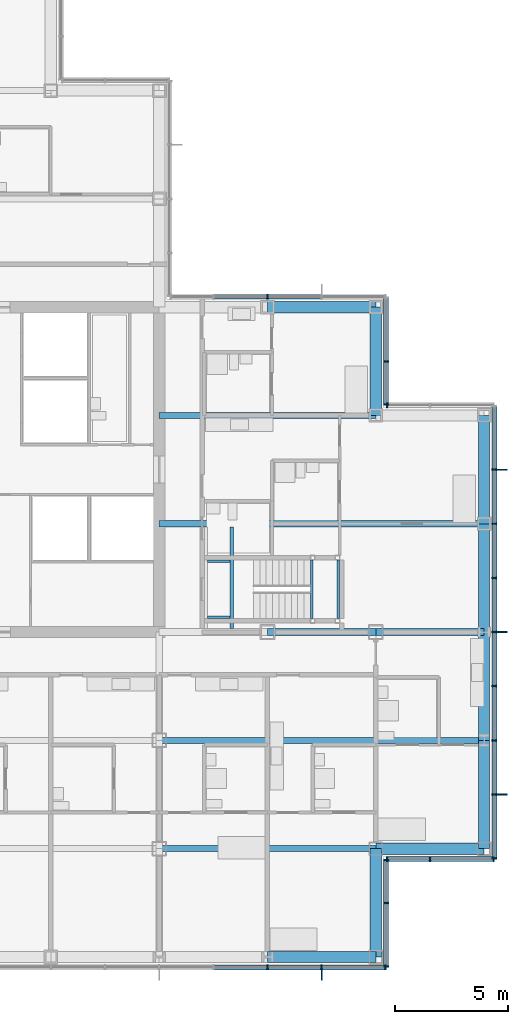
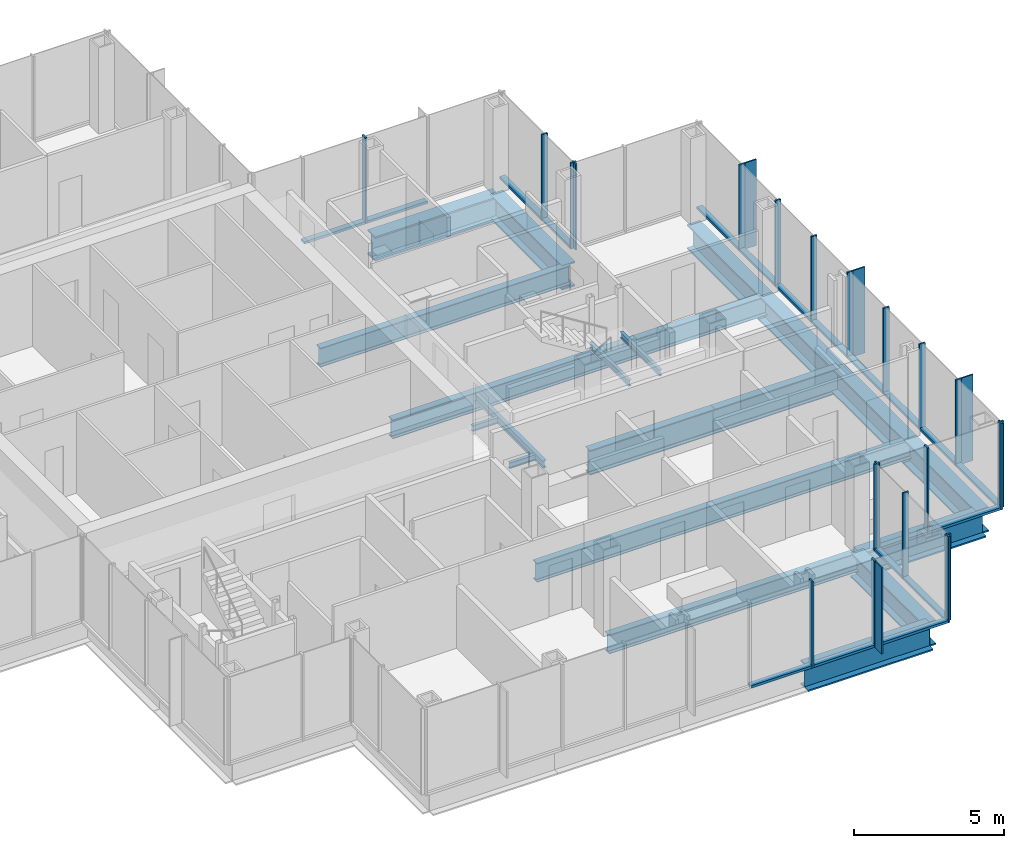
# One storey, part 8 of 20: 44 members, 20 beams, 7 elements without a shape of their own.
"""IFC4 building model written with IfcOpenShell, lengths in metres."""

from ifc_helpers import new_model, si_unit, direction, frame, origin, origin_2d, place, context, subcontext, project, spatial, rectangle, i_section, extrude, material, material_profile, profile_set, type_object, element, aggregate, save


model = new_model("IFC4")

# Units and contexts
model_context = context("Model", 3, precision=1e-05, world=origin(), true_north=direction((0.0, 1.0)))
body_context = subcontext(model_context, "Body", "Model", "MODEL_VIEW")
ifc_project = project(units=[si_unit("LENGTHUNIT", "METRE"), si_unit("AREAUNIT", "SQUARE_METRE"), si_unit("VOLUMEUNIT", "CUBIC_METRE"), si_unit("PLANEANGLEUNIT", "RADIAN"), si_unit("MASSUNIT", "GRAM", prefix="KILO")], contexts=[model_context])

# Site, building, storey
site_placement = place(None, origin())
site = spatial("IfcSite", under=ifc_project, at=site_placement, CompositionType="ELEMENT")
building_placement = place(site_placement, origin())
building = spatial("IfcBuilding", under=site, at=building_placement, Name="Kvirike Care Tower", CompositionType="ELEMENT")
storey_placement = place(building_placement, frame((0.0, 0.0, 112.0)))
storey = spatial("IfcBuildingStorey", under=building, at=storey_placement, Name="L30", CompositionType="ELEMENT", Elevation=112.0)

# Curtain wall, members
ifc_material_1 = material(Name="Anodised aluminium stick system", Category="aluminium")
curtain_wall_type = type_object("IfcCurtainWallType", Name="CW-B STICK CURTAIN WALL", PredefinedType="NOTDEFINED", material=ifc_material_1)
curtain_wall_1_placement = place(storey_placement, origin())
curtain_wall_1 = element("IfcCurtainWall", 1, at=curtain_wall_1_placement, inside=storey, type_object=curtain_wall_type, Name="Curtain wall L30 face 1", PredefinedType="NOTDEFINED")
ifc_material_2 = material(Name="Bronze anodised aluminium fin", Category="aluminium")
ifc_material_profile_1 = material_profile(ifc_material_2, rectangle(XDim=0.050048828125, YDim=0.449951171875, at=origin_2d()), Name="BRONZE FIN 450")
ifc_profile_set_1 = profile_set([ifc_material_profile_1], Name="Bronze anodised aluminium fin")
member_type_1 = type_object("IfcMemberType", Name="BRONZE FIN 450", PredefinedType="USERDEFINED", material=ifc_profile_set_1)
member_1_placement = place(storey_placement, frame((43.9951171875, 21.60009765625, 0.0), z_axis=(0.0, 0.0, 1.0), x_axis=(0.0, 1.0, 0.0)))
member_1 = element("IfcMember", 2, at=member_1_placement, type_object=member_type_1, Name="Bronze fin L30 face 1.2", ObjectType="FIN", PredefinedType="USERDEFINED", context=body_context, shape_type="SweptSolid", body=[
    extrude(rectangle(XDim=0.050048828125, YDim=0.449951171875, at=origin_2d()), origin(), (0.0, 0.0, 1.0), 3.5),
])
member_2_placement = place(storey_placement, frame((43.9951171875, 28.800048828125, 0.0), z_axis=(0.0, 0.0, 1.0), x_axis=(0.0, 1.0, 0.0)))
member_2 = element("IfcMember", 3, at=member_2_placement, type_object=member_type_1, Name="Bronze fin L30 face 1.5", ObjectType="FIN", PredefinedType="USERDEFINED", context=body_context, shape_type="SweptSolid", body=[
    extrude(rectangle(XDim=0.050048828125, YDim=0.449951171875, at=origin_2d()), origin(), (0.0, 0.0, 1.0), 3.5),
])
member_3_placement = place(storey_placement, frame((43.9951171875, 36.0, 0.0), z_axis=(0.0, 0.0, 1.0), x_axis=(0.0, 1.0, 0.0)))
member_3 = element("IfcMember", 4, at=member_3_placement, type_object=member_type_1, Name="Bronze fin L30 face 1.8", ObjectType="FIN", PredefinedType="USERDEFINED", context=body_context, shape_type="SweptSolid", body=[
    extrude(rectangle(XDim=0.050048828125, YDim=0.449951171875, at=origin_2d()), origin(), (0.0, 0.0, 1.0), 3.5),
])

# Curtain wall, member
curtain_wall_2_placement = place(storey_placement, origin())
curtain_wall_2 = element("IfcCurtainWall", 5, at=curtain_wall_2_placement, inside=storey, type_object=curtain_wall_type, Name="Curtain wall L30 face 18", PredefinedType="NOTDEFINED")
member_4_placement = place(storey_placement, frame((36.0, 13.60498046875, 0.0), z_axis=(0.0, 0.0, 1.0), x_axis=(1.0, 0.0, 0.0)))
member_4 = element("IfcMember", 6, at=member_4_placement, type_object=member_type_1, Name="Bronze fin L30 face 18.8", ObjectType="FIN", PredefinedType="USERDEFINED", context=body_context, shape_type="SweptSolid", body=[
    extrude(rectangle(XDim=0.050048828125, YDim=0.449951171875, at=origin_2d()), origin(), (0.0, 0.0, 1.0), 3.5),
])

# Member
ifc_material_3 = material(Name="Bronze anodised aluminium mullion", Category="aluminium")
ifc_material_profile_2 = material_profile(ifc_material_3, rectangle(XDim=0.06494140625, YDim=0.219970703125, at=origin_2d()), Name="CW-B MULLION 65x220")
ifc_profile_set_2 = profile_set([ifc_material_profile_2], Name="Bronze anodised aluminium mullion")
member_type_2 = type_object("IfcMemberType", Name="CW-B MULLION 65x220", PredefinedType="MULLION", material=ifc_profile_set_2)
member_5_placement = place(storey_placement, frame((43.659912109375, 18.7724609375, 0.0), z_axis=(0.0, 0.0, 1.0), x_axis=(0.0, 1.0, 0.0)))
member_5 = element("IfcMember", 7, at=member_5_placement, type_object=member_type_2, Name="CW-B mullion L30 face 1.1", PredefinedType="MULLION", context=body_context, shape_type="SweptSolid", body=[
    extrude(rectangle(XDim=0.06494140625, YDim=0.219970703125, at=origin_2d()), origin(), (0.0, 0.0, 1.0), 3.5),
])

member_6_placement = place(storey_placement, frame((43.659912109375, 21.60009765625, 0.0), z_axis=(0.0, 0.0, 1.0), x_axis=(0.0, 1.0, 0.0)))
member_6 = element("IfcMember", 8, at=member_6_placement, type_object=member_type_2, Name="CW-B mullion L30 face 1.2", PredefinedType="MULLION", context=body_context, shape_type="SweptSolid", body=[
    extrude(rectangle(XDim=0.06494140625, YDim=0.219970703125, at=origin_2d()), origin(), (0.0, 0.0, 1.0), 3.5),
])

member_7_placement = place(storey_placement, frame((43.659912109375, 24.0, 0.0), z_axis=(0.0, 0.0, 1.0), x_axis=(0.0, 1.0, 0.0)))
member_7 = element("IfcMember", 9, at=member_7_placement, type_object=member_type_2, Name="CW-B mullion L30 face 1.3", PredefinedType="MULLION", context=body_context, shape_type="SweptSolid", body=[
    extrude(rectangle(XDim=0.06494140625, YDim=0.219970703125, at=origin_2d()), origin(), (0.0, 0.0, 1.0), 3.5),
])

member_8_placement = place(storey_placement, frame((43.659912109375, 26.39990234375, 0.0), z_axis=(0.0, 0.0, 1.0), x_axis=(0.0, 1.0, 0.0)))
member_8 = element("IfcMember", 10, at=member_8_placement, type_object=member_type_2, Name="CW-B mullion L30 face 1.4", PredefinedType="MULLION", context=body_context, shape_type="SweptSolid", body=[
    extrude(rectangle(XDim=0.06494140625, YDim=0.219970703125, at=origin_2d()), origin(), (0.0, 0.0, 1.0), 3.5),
])

member_9_placement = place(storey_placement, frame((43.659912109375, 28.800048828125, 0.0), z_axis=(0.0, 0.0, 1.0), x_axis=(0.0, 1.0, 0.0)))
member_9 = element("IfcMember", 11, at=member_9_placement, type_object=member_type_2, Name="CW-B mullion L30 face 1.5", PredefinedType="MULLION", context=body_context, shape_type="SweptSolid", body=[
    extrude(rectangle(XDim=0.06494140625, YDim=0.219970703125, at=origin_2d()), origin(), (0.0, 0.0, 1.0), 3.5),
])

member_10_placement = place(storey_placement, frame((43.659912109375, 31.199951171875, 0.0), z_axis=(0.0, 0.0, 1.0), x_axis=(0.0, 1.0, 0.0)))
member_10 = element("IfcMember", 12, at=member_10_placement, type_object=member_type_2, Name="CW-B mullion L30 face 1.6", PredefinedType="MULLION", context=body_context, shape_type="SweptSolid", body=[
    extrude(rectangle(XDim=0.06494140625, YDim=0.219970703125, at=origin_2d()), origin(), (0.0, 0.0, 1.0), 3.5),
])

member_11_placement = place(storey_placement, frame((43.659912109375, 33.60009765625, 0.0), z_axis=(0.0, 0.0, 1.0), x_axis=(0.0, 1.0, 0.0)))
member_11 = element("IfcMember", 13, at=member_11_placement, type_object=member_type_2, Name="CW-B mullion L30 face 1.7", PredefinedType="MULLION", context=body_context, shape_type="SweptSolid", body=[
    extrude(rectangle(XDim=0.06494140625, YDim=0.219970703125, at=origin_2d()), origin(), (0.0, 0.0, 1.0), 3.5),
])

member_12_placement = place(storey_placement, frame((43.659912109375, 36.0, 0.0), z_axis=(0.0, 0.0, 1.0), x_axis=(0.0, 1.0, 0.0)))
member_12 = element("IfcMember", 14, at=member_12_placement, type_object=member_type_2, Name="CW-B mullion L30 face 1.8", PredefinedType="MULLION", context=body_context, shape_type="SweptSolid", body=[
    extrude(rectangle(XDim=0.06494140625, YDim=0.219970703125, at=origin_2d()), origin(), (0.0, 0.0, 1.0), 3.5),
])

# Curtain wall, member
curtain_wall_3_placement = place(storey_placement, origin())
curtain_wall_3 = element("IfcCurtainWall", 15, at=curtain_wall_3_placement, inside=storey, type_object=curtain_wall_type, Name="Curtain wall L30 face 2", PredefinedType="NOTDEFINED")
member_13_placement = place(storey_placement, frame((38.892578125, 38.860107421875, 0.0), z_axis=(0.0, 0.0, 1.0), x_axis=(-1.0, 0.0, 0.0)))
member_13 = element("IfcMember", 16, at=member_13_placement, type_object=member_type_2, Name="CW-B mullion L30 face 2.3", PredefinedType="MULLION", context=body_context, shape_type="SweptSolid", body=[
    extrude(rectangle(XDim=0.06494140625, YDim=0.219970703125, at=origin_2d()), origin(), (0.0, 0.0, 1.0), 3.5),
])
aggregate(curtain_wall_3, [member_13])

# Curtain wall, members
curtain_wall_4_placement = place(storey_placement, origin())
curtain_wall_4 = element("IfcCurtainWall", 17, at=curtain_wall_4_placement, inside=storey, type_object=curtain_wall_type, Name="Curtain wall L30 face 3", PredefinedType="NOTDEFINED")
member_14_placement = place(storey_placement, frame((38.860107421875, 38.892578125, 0.0), z_axis=(0.0, 0.0, 1.0), x_axis=(0.0, 1.0, 0.0)))
member_14 = element("IfcMember", 18, at=member_14_placement, type_object=member_type_2, Name="CW-B mullion L30 face 3.1", PredefinedType="MULLION", context=body_context, shape_type="SweptSolid", body=[
    extrude(rectangle(XDim=0.06494140625, YDim=0.219970703125, at=origin_2d()), origin(), (0.0, 0.0, 1.0), 3.5),
])
member_15_placement = place(storey_placement, frame((38.860107421875, 40.800048828125, 0.0), z_axis=(0.0, 0.0, 1.0), x_axis=(0.0, 1.0, 0.0)))
member_15 = element("IfcMember", 19, at=member_15_placement, type_object=member_type_2, Name="CW-B mullion L30 face 3.2", PredefinedType="MULLION", context=body_context, shape_type="SweptSolid", body=[
    extrude(rectangle(XDim=0.06494140625, YDim=0.219970703125, at=origin_2d()), origin(), (0.0, 0.0, 1.0), 3.5),
])

# Curtain wall, member
curtain_wall_5_placement = place(storey_placement, origin())
curtain_wall_5 = element("IfcCurtainWall", 20, at=curtain_wall_5_placement, inside=storey, type_object=curtain_wall_type, Name="Curtain wall L30 face 4", PredefinedType="NOTDEFINED")
member_16_placement = place(storey_placement, frame((33.60009765625, 43.659912109375, 0.0), z_axis=(0.0, 0.0, 1.0), x_axis=(-1.0, 0.0, 0.0)))
member_16 = element("IfcMember", 21, at=member_16_placement, type_object=member_type_2, Name="CW-B mullion L30 face 4.3", PredefinedType="MULLION", context=body_context, shape_type="SweptSolid", body=[
    extrude(rectangle(XDim=0.06494140625, YDim=0.219970703125, at=origin_2d()), origin(), (0.0, 0.0, 1.0), 3.5),
])

# Member
member_17_placement = place(storey_placement, frame((33.60009765625, 13.93994140625, 0.0), z_axis=(0.0, 0.0, 1.0), x_axis=(1.0, 0.0, 0.0)))
member_17 = element("IfcMember", 22, at=member_17_placement, type_object=member_type_2, Name="CW-B mullion L30 face 18.7", PredefinedType="MULLION", context=body_context, shape_type="SweptSolid", body=[
    extrude(rectangle(XDim=0.06494140625, YDim=0.219970703125, at=origin_2d()), origin(), (0.0, 0.0, 1.0), 3.5),
])

member_18_placement = place(storey_placement, frame((36.0, 13.93994140625, 0.0), z_axis=(0.0, 0.0, 1.0), x_axis=(1.0, 0.0, 0.0)))
member_18 = element("IfcMember", 23, at=member_18_placement, type_object=member_type_2, Name="CW-B mullion L30 face 18.8", PredefinedType="MULLION", context=body_context, shape_type="SweptSolid", body=[
    extrude(rectangle(XDim=0.06494140625, YDim=0.219970703125, at=origin_2d()), origin(), (0.0, 0.0, 1.0), 3.5),
])

member_19_placement = place(storey_placement, frame((38.827392578125, 13.93994140625, 0.0), z_axis=(0.0, 0.0, 1.0), x_axis=(1.0, 0.0, 0.0)))
member_19 = element("IfcMember", 24, at=member_19_placement, type_object=member_type_2, Name="CW-B mullion L30 face 18.9", PredefinedType="MULLION", context=body_context, shape_type="SweptSolid", body=[
    extrude(rectangle(XDim=0.06494140625, YDim=0.219970703125, at=origin_2d()), origin(), (0.0, 0.0, 1.0), 3.5),
])

# Curtain wall, members
curtain_wall_6_placement = place(storey_placement, origin())
curtain_wall_6 = element("IfcCurtainWall", 25, at=curtain_wall_6_placement, inside=storey, type_object=curtain_wall_type, Name="Curtain wall L30 face 19", PredefinedType="NOTDEFINED")
member_20_placement = place(storey_placement, frame((38.860107421875, 13.972412109375, 0.0), z_axis=(0.0, 0.0, 1.0), x_axis=(0.0, 1.0, 0.0)))
member_20 = element("IfcMember", 26, at=member_20_placement, type_object=member_type_2, Name="CW-B mullion L30 face 19.1", PredefinedType="MULLION", context=body_context, shape_type="SweptSolid", body=[
    extrude(rectangle(XDim=0.06494140625, YDim=0.219970703125, at=origin_2d()), origin(), (0.0, 0.0, 1.0), 3.5),
])
member_21_placement = place(storey_placement, frame((38.860107421875, 16.800048828125, 0.0), z_axis=(0.0, 0.0, 1.0), x_axis=(0.0, 1.0, 0.0)))
member_21 = element("IfcMember", 27, at=member_21_placement, type_object=member_type_2, Name="CW-B mullion L30 face 19.2", PredefinedType="MULLION", context=body_context, shape_type="SweptSolid", body=[
    extrude(rectangle(XDim=0.06494140625, YDim=0.219970703125, at=origin_2d()), origin(), (0.0, 0.0, 1.0), 3.5),
])
member_22_placement = place(storey_placement, frame((38.860107421875, 18.70751953125, 0.0), z_axis=(0.0, 0.0, 1.0), x_axis=(0.0, 1.0, 0.0)))
member_22 = element("IfcMember", 28, at=member_22_placement, type_object=member_type_2, Name="CW-B mullion L30 face 19.3", PredefinedType="MULLION", context=body_context, shape_type="SweptSolid", body=[
    extrude(rectangle(XDim=0.06494140625, YDim=0.219970703125, at=origin_2d()), origin(), (0.0, 0.0, 1.0), 3.5),
])

curtain_wall_7_placement = place(storey_placement, origin())
curtain_wall_7 = element("IfcCurtainWall", 29, at=curtain_wall_7_placement, inside=storey, type_object=curtain_wall_type, Name="Curtain wall L30 face 20", PredefinedType="NOTDEFINED")
member_23_placement = place(storey_placement, frame((38.892578125, 18.739990234375, 0.0), z_axis=(0.0, 0.0, 1.0), x_axis=(1.0, 0.0, 0.0)))
member_23 = element("IfcMember", 30, at=member_23_placement, type_object=member_type_2, Name="CW-B mullion L30 face 20.1", PredefinedType="MULLION", context=body_context, shape_type="SweptSolid", body=[
    extrude(rectangle(XDim=0.06494140625, YDim=0.219970703125, at=origin_2d()), origin(), (0.0, 0.0, 1.0), 3.5),
])
member_24_placement = place(storey_placement, frame((40.800048828125, 18.739990234375, 0.0), z_axis=(0.0, 0.0, 1.0), x_axis=(1.0, 0.0, 0.0)))
member_24 = element("IfcMember", 31, at=member_24_placement, type_object=member_type_2, Name="CW-B mullion L30 face 20.2", PredefinedType="MULLION", context=body_context, shape_type="SweptSolid", body=[
    extrude(rectangle(XDim=0.06494140625, YDim=0.219970703125, at=origin_2d()), origin(), (0.0, 0.0, 1.0), 3.5),
])
member_25_placement = place(storey_placement, frame((43.62744140625, 18.739990234375, 0.0), z_axis=(0.0, 0.0, 1.0), x_axis=(1.0, 0.0, 0.0)))
member_25 = element("IfcMember", 32, at=member_25_placement, type_object=member_type_2, Name="CW-B mullion L30 face 20.3", PredefinedType="MULLION", context=body_context, shape_type="SweptSolid", body=[
    extrude(rectangle(XDim=0.06494140625, YDim=0.219970703125, at=origin_2d()), origin(), (0.0, 0.0, 1.0), 3.5),
])

# Member
ifc_material_4 = material(Name="Bronze anodised aluminium transom", Category="aluminium")
ifc_material_profile_3 = material_profile(ifc_material_4, rectangle(XDim=0.219970703125, YDim=0.10009765625, at=origin_2d()), Name="CW-B TRANSOM 220x100")
ifc_profile_set_3 = profile_set([ifc_material_profile_3], Name="Bronze anodised aluminium transom")
member_type_3 = type_object("IfcMemberType", Name="CW-B TRANSOM 220x100", PredefinedType="USERDEFINED", material=ifc_profile_set_3)
member_26_placement = place(storey_placement, frame((43.659912109375, 18.804931640625, 0.050048828125), z_axis=(0.0, 1.0, 0.0), x_axis=(-1.0, 0.0, 0.0)))
member_26 = element("IfcMember", 33, at=member_26_placement, type_object=member_type_3, Name="CW-B sill transom L30 face 1.1", ObjectType="TRANSOM", PredefinedType="USERDEFINED", context=body_context, shape_type="SweptSolid", body=[
    extrude(rectangle(XDim=0.219970703125, YDim=0.10009765625, at=origin_2d()), origin(), (0.0, 0.0, 1.0), 2.762451171875),
])

member_27_placement = place(storey_placement, frame((43.659912109375, 21.632568359375, 0.050048828125), z_axis=(0.0, 1.0, 0.0), x_axis=(-1.0, 0.0, 0.0)))
member_27 = element("IfcMember", 34, at=member_27_placement, type_object=member_type_3, Name="CW-B sill transom L30 face 1.2", ObjectType="TRANSOM", PredefinedType="USERDEFINED", context=body_context, shape_type="SweptSolid", body=[
    extrude(rectangle(XDim=0.219970703125, YDim=0.10009765625, at=origin_2d()), origin(), (0.0, 0.0, 1.0), 2.3349609375),
])

member_28_placement = place(storey_placement, frame((43.659912109375, 24.032470703125, 0.050048828125), z_axis=(0.0, 1.0, 0.0), x_axis=(-1.0, 0.0, 0.0)))
member_28 = element("IfcMember", 35, at=member_28_placement, type_object=member_type_3, Name="CW-B sill transom L30 face 1.3", ObjectType="TRANSOM", PredefinedType="USERDEFINED", context=body_context, shape_type="SweptSolid", body=[
    extrude(rectangle(XDim=0.219970703125, YDim=0.10009765625, at=origin_2d()), origin(), (0.0, 0.0, 1.0), 2.3349609375),
])

member_29_placement = place(storey_placement, frame((43.659912109375, 26.4326171875, 0.050048828125), z_axis=(0.0, 1.0, 0.0), x_axis=(-1.0, 0.0, 0.0)))
member_29 = element("IfcMember", 36, at=member_29_placement, type_object=member_type_3, Name="CW-B sill transom L30 face 1.4", ObjectType="TRANSOM", PredefinedType="USERDEFINED", context=body_context, shape_type="SweptSolid", body=[
    extrude(rectangle(XDim=0.219970703125, YDim=0.10009765625, at=origin_2d()), origin(), (0.0, 0.0, 1.0), 2.3349609375),
])

member_30_placement = place(storey_placement, frame((43.659912109375, 28.83251953125, 0.050048828125), z_axis=(0.0, 1.0, 0.0), x_axis=(-1.0, 0.0, 0.0)))
member_30 = element("IfcMember", 37, at=member_30_placement, type_object=member_type_3, Name="CW-B sill transom L30 face 1.5", ObjectType="TRANSOM", PredefinedType="USERDEFINED", context=body_context, shape_type="SweptSolid", body=[
    extrude(rectangle(XDim=0.219970703125, YDim=0.10009765625, at=origin_2d()), origin(), (0.0, 0.0, 1.0), 2.3349609375),
])

member_31_placement = place(storey_placement, frame((43.659912109375, 31.232421875, 0.050048828125), z_axis=(0.0, 1.0, 0.0), x_axis=(-1.0, 0.0, 0.0)))
member_31 = element("IfcMember", 38, at=member_31_placement, type_object=member_type_3, Name="CW-B sill transom L30 face 1.6", ObjectType="TRANSOM", PredefinedType="USERDEFINED", context=body_context, shape_type="SweptSolid", body=[
    extrude(rectangle(XDim=0.219970703125, YDim=0.10009765625, at=origin_2d()), origin(), (0.0, 0.0, 1.0), 2.3349609375),
])

member_32_placement = place(storey_placement, frame((43.659912109375, 33.632568359375, 0.050048828125), z_axis=(0.0, 1.0, 0.0), x_axis=(-1.0, 0.0, 0.0)))
member_32 = element("IfcMember", 39, at=member_32_placement, type_object=member_type_3, Name="CW-B sill transom L30 face 1.7", ObjectType="TRANSOM", PredefinedType="USERDEFINED", context=body_context, shape_type="SweptSolid", body=[
    extrude(rectangle(XDim=0.219970703125, YDim=0.10009765625, at=origin_2d()), origin(), (0.0, 0.0, 1.0), 2.3349609375),
])

member_33_placement = place(storey_placement, frame((43.659912109375, 36.032470703125, 0.050048828125), z_axis=(0.0, 1.0, 0.0), x_axis=(-1.0, 0.0, 0.0)))
member_33 = element("IfcMember", 40, at=member_33_placement, type_object=member_type_3, Name="CW-B sill transom L30 face 1.8", ObjectType="TRANSOM", PredefinedType="USERDEFINED", context=body_context, shape_type="SweptSolid", body=[
    extrude(rectangle(XDim=0.219970703125, YDim=0.10009765625, at=origin_2d()), origin(), (0.0, 0.0, 1.0), 2.762451171875),
])

aggregate(curtain_wall_1, [member_5, member_6, member_1, member_7, member_8, member_9, member_2, member_10, member_11, member_12, member_3, member_26, member_27, member_28, member_29, member_30, member_31, member_32, member_33])

member_34_placement = place(storey_placement, frame((38.860107421875, 38.925048828125, 0.050048828125), z_axis=(0.0, 1.0, 0.0), x_axis=(-1.0, 0.0, 0.0)))
member_34 = element("IfcMember", 41, at=member_34_placement, type_object=member_type_3, Name="CW-B sill transom L30 face 3.1", ObjectType="TRANSOM", PredefinedType="USERDEFINED", context=body_context, shape_type="SweptSolid", body=[
    extrude(rectangle(XDim=0.219970703125, YDim=0.10009765625, at=origin_2d()), origin(), (0.0, 0.0, 1.0), 1.842529296875),
])

member_35_placement = place(storey_placement, frame((38.860107421875, 40.83251953125, 0.050048828125), z_axis=(0.0, 1.0, 0.0), x_axis=(-1.0, 0.0, 0.0)))
member_35 = element("IfcMember", 42, at=member_35_placement, type_object=member_type_3, Name="CW-B sill transom L30 face 3.2", ObjectType="TRANSOM", PredefinedType="USERDEFINED", context=body_context, shape_type="SweptSolid", body=[
    extrude(rectangle(XDim=0.219970703125, YDim=0.10009765625, at=origin_2d()), origin(), (0.0, 0.0, 1.0), 2.762451171875),
])

aggregate(curtain_wall_4, [member_14, member_15, member_34, member_35])

member_36_placement = place(storey_placement, frame((35.967529296875, 43.659912109375, 0.050048828125), z_axis=(-1.0, 0.0, 0.0), x_axis=(0.0, -1.0, 0.0)))
member_36 = element("IfcMember", 43, at=member_36_placement, type_object=member_type_3, Name="CW-B sill transom L30 face 4.2", ObjectType="TRANSOM", PredefinedType="USERDEFINED", context=body_context, shape_type="SweptSolid", body=[
    extrude(rectangle(XDim=0.219970703125, YDim=0.10009765625, at=origin_2d()), origin(), (0.0, 0.0, 1.0), 2.3349609375),
])

member_37_placement = place(storey_placement, frame((33.5673828125, 43.659912109375, 0.050048828125), z_axis=(-1.0, 0.0, 0.0), x_axis=(0.0, -1.0, 0.0)))
member_37 = element("IfcMember", 44, at=member_37_placement, type_object=member_type_3, Name="CW-B sill transom L30 face 4.3", ObjectType="TRANSOM", PredefinedType="USERDEFINED", context=body_context, shape_type="SweptSolid", body=[
    extrude(rectangle(XDim=0.219970703125, YDim=0.10009765625, at=origin_2d()), origin(), (0.0, 0.0, 1.0), 2.3349609375),
])

aggregate(curtain_wall_5, [member_16, member_36, member_37])

member_38_placement = place(storey_placement, frame((31.232421875, 13.93994140625, 0.050048828125), z_axis=(1.0, 0.0, 0.0), x_axis=(0.0, 1.0, 0.0)))
member_38 = element("IfcMember", 45, at=member_38_placement, type_object=member_type_3, Name="CW-B sill transom L30 face 18.6", ObjectType="TRANSOM", PredefinedType="USERDEFINED", context=body_context, shape_type="SweptSolid", body=[
    extrude(rectangle(XDim=0.219970703125, YDim=0.10009765625, at=origin_2d()), origin(), (0.0, 0.0, 1.0), 2.3349609375),
])

member_39_placement = place(storey_placement, frame((33.632568359375, 13.93994140625, 0.050048828125), z_axis=(1.0, 0.0, 0.0), x_axis=(0.0, 1.0, 0.0)))
member_39 = element("IfcMember", 46, at=member_39_placement, type_object=member_type_3, Name="CW-B sill transom L30 face 18.7", ObjectType="TRANSOM", PredefinedType="USERDEFINED", context=body_context, shape_type="SweptSolid", body=[
    extrude(rectangle(XDim=0.219970703125, YDim=0.10009765625, at=origin_2d()), origin(), (0.0, 0.0, 1.0), 2.3349609375),
])

member_40_placement = place(storey_placement, frame((36.032470703125, 13.93994140625, 0.050048828125), z_axis=(1.0, 0.0, 0.0), x_axis=(0.0, 1.0, 0.0)))
member_40 = element("IfcMember", 47, at=member_40_placement, type_object=member_type_3, Name="CW-B sill transom L30 face 18.8", ObjectType="TRANSOM", PredefinedType="USERDEFINED", context=body_context, shape_type="SweptSolid", body=[
    extrude(rectangle(XDim=0.219970703125, YDim=0.10009765625, at=origin_2d()), origin(), (0.0, 0.0, 1.0), 2.762451171875),
])

aggregate(curtain_wall_2, [member_17, member_18, member_4, member_19, member_38, member_39, member_40])

member_41_placement = place(storey_placement, frame((38.860107421875, 14.0048828125, 0.050048828125), z_axis=(0.0, 1.0, 0.0), x_axis=(-1.0, 0.0, 0.0)))
member_41 = element("IfcMember", 48, at=member_41_placement, type_object=member_type_3, Name="CW-B sill transom L30 face 19.1", ObjectType="TRANSOM", PredefinedType="USERDEFINED", context=body_context, shape_type="SweptSolid", body=[
    extrude(rectangle(XDim=0.219970703125, YDim=0.10009765625, at=origin_2d()), origin(), (0.0, 0.0, 1.0), 2.7626953125),
])

member_42_placement = place(storey_placement, frame((38.860107421875, 16.83251953125, 0.050048828125), z_axis=(0.0, 1.0, 0.0), x_axis=(-1.0, 0.0, 0.0)))
member_42 = element("IfcMember", 49, at=member_42_placement, type_object=member_type_3, Name="CW-B sill transom L30 face 19.2", ObjectType="TRANSOM", PredefinedType="USERDEFINED", context=body_context, shape_type="SweptSolid", body=[
    extrude(rectangle(XDim=0.219970703125, YDim=0.10009765625, at=origin_2d()), origin(), (0.0, 0.0, 1.0), 1.842529296875),
])

aggregate(curtain_wall_6, [member_20, member_21, member_22, member_41, member_42])

member_43_placement = place(storey_placement, frame((38.925048828125, 18.739990234375, 0.050048828125), z_axis=(1.0, 0.0, 0.0), x_axis=(0.0, 1.0, 0.0)))
member_43 = element("IfcMember", 50, at=member_43_placement, type_object=member_type_3, Name="CW-B sill transom L30 face 20.1", ObjectType="TRANSOM", PredefinedType="USERDEFINED", context=body_context, shape_type="SweptSolid", body=[
    extrude(rectangle(XDim=0.219970703125, YDim=0.10009765625, at=origin_2d()), origin(), (0.0, 0.0, 1.0), 1.842529296875),
])

member_44_placement = place(storey_placement, frame((40.83251953125, 18.739990234375, 0.050048828125), z_axis=(1.0, 0.0, 0.0), x_axis=(0.0, 1.0, 0.0)))
member_44 = element("IfcMember", 51, at=member_44_placement, type_object=member_type_3, Name="CW-B sill transom L30 face 20.2", ObjectType="TRANSOM", PredefinedType="USERDEFINED", context=body_context, shape_type="SweptSolid", body=[
    extrude(rectangle(XDim=0.219970703125, YDim=0.10009765625, at=origin_2d()), origin(), (0.0, 0.0, 1.0), 2.762451171875),
])

aggregate(curtain_wall_7, [member_23, member_24, member_25, member_43, member_44])

# Beams
ifc_material_5 = material(Name="Steel S355", Category="steel")
ifc_material_profile_4 = material_profile(ifc_material_5, i_section(OverallWidth=0.26806640625, OverallDepth=0.77001953125, WebThickness=0.015625, FlangeThickness=0.025390625, FilletRadius=0.01708984375, at=origin_2d()), Name="IPE 750x196")
ifc_profile_set_4 = profile_set([ifc_material_profile_4], Name="Steel S355")
beam_type_1 = type_object("IfcBeamType", Name="FLOOR BEAM IPE 750x196", PredefinedType="BEAM", material=ifc_profile_set_4)
beam_1_placement = place(storey_placement, frame((28.800048828125, 19.199951171875, -0.554931640625), z_axis=(1.0, 0.0, 0.0), x_axis=(0.0, 1.0, 0.0)))
element("IfcBeam", 52, at=beam_1_placement, inside=storey, type_object=beam_type_1, Name="Floor Beam E9-E11 L30", PredefinedType="BEAM", context=body_context, shape_type="SweptSolid", body=[
    extrude(i_section(OverallWidth=0.26806640625, OverallDepth=0.77001953125, WebThickness=0.015625, FlangeThickness=0.025390625, FilletRadius=0.01708984375, at=origin_2d()), origin(), (0.0, 0.0, 1.0), 9.599853515625),
])
for number, where, z_axis, x_axis, name in (
    (53, (28.800048828125, 24.0, -0.554931640625), (1.0, 0.0, 0.0), (0.0, 1.0, 0.0), "Floor Beam F9-F12 L30"),
    (54, (28.800048828125, 33.60009765625, -0.554931640625), (1.0, 0.0, 0.0), (0.0, 1.0, 0.0), "Floor Beam H9-H12 L30"),
):
    element("IfcBeam", number, at=place(storey_placement, frame(where, z_axis=z_axis, x_axis=x_axis)), inside=storey, type_object=beam_type_1, Name=name, PredefinedType="BEAM", context=body_context, shape_type="SweptSolid", body=[
        extrude(i_section(OverallWidth=0.26806640625, OverallDepth=0.77001953125, WebThickness=0.015625, FlangeThickness=0.025390625, FilletRadius=0.01708984375, at=origin_2d()), origin(), (0.0, 0.0, 1.0), 14.39990234375),
    ])
beam_2_placement = place(storey_placement, frame((28.800048828125, 38.39990234375, -0.554931640625), z_axis=(1.0, 0.0, 0.0), x_axis=(0.0, 1.0, 0.0)))
element("IfcBeam", 55, at=beam_2_placement, inside=storey, type_object=beam_type_1, Name="Floor Beam J9-J11 L30", PredefinedType="BEAM", context=body_context, shape_type="SweptSolid", body=[
    extrude(i_section(OverallWidth=0.26806640625, OverallDepth=0.77001953125, WebThickness=0.015625, FlangeThickness=0.025390625, FilletRadius=0.01708984375, at=origin_2d()), origin(), (0.0, 0.0, 1.0), 9.599853515625),
])
ifc_material_6 = material(Name="Steel S355", Category="steel")
ifc_material_profile_5 = material_profile(ifc_material_6, i_section(OverallWidth=0.300048828125, OverallDepth=1.0, WebThickness=0.01904296875, FlangeThickness=0.035888671875, FilletRadius=0.030029296875, at=origin_2d()), Name="HE 1000 B")
ifc_profile_set_5 = profile_set([ifc_material_profile_5], Name="Steel S355")
beam_type_2 = type_object("IfcBeamType", Name="FRAME BEAM HE 1000 B", PredefinedType="BEAM", material=ifc_profile_set_5)
beam_3_placement = place(storey_placement, frame((33.60009765625, 28.800048828125, -0.669921875), z_axis=(1.0, 0.0, 0.0), x_axis=(0.0, 1.0, 0.0)))
element("IfcBeam", 56, at=beam_3_placement, inside=storey, type_object=beam_type_2, Name="Frame Beam G10-G11 L30", PredefinedType="BEAM", context=body_context, shape_type="SweptSolid", body=[
    extrude(i_section(OverallWidth=0.300048828125, OverallDepth=1.0, WebThickness=0.01904296875, FlangeThickness=0.035888671875, FilletRadius=0.030029296875, at=origin_2d()), origin(), (0.0, 0.0, 1.0), 4.7998046875),
])
beam_4_placement = place(storey_placement, frame((38.39990234375, 28.800048828125, -0.669921875), z_axis=(1.0, 0.0, 0.0), x_axis=(0.0, 1.0, 0.0)))
element("IfcBeam", 57, at=beam_4_placement, inside=storey, type_object=beam_type_2, Name="Frame Beam G11-G12 L30", PredefinedType="BEAM", context=body_context, shape_type="SweptSolid", body=[
    extrude(i_section(OverallWidth=0.300048828125, OverallDepth=1.0, WebThickness=0.01904296875, FlangeThickness=0.035888671875, FilletRadius=0.030029296875, at=origin_2d()), origin(), (0.0, 0.0, 1.0), 4.800048828125),
])
ifc_material_7 = material(Name="Steel S355", Category="steel")
ifc_material_profile_6 = material_profile(ifc_material_7, i_section(OverallWidth=0.5, OverallDepth=1.0, WebThickness=0.030029296875, FlangeThickness=0.06005859375, at=origin_2d()), Name="PG 1000x500x30x60")
ifc_profile_set_6 = profile_set([ifc_material_profile_6], Name="Steel S355")
beam_type_3 = type_object("IfcBeamType", Name="SPANDREL PG 1000x500x30x60", PredefinedType="SPANDREL", material=ifc_profile_set_6)
beam_5_placement = place(storey_placement, frame((33.60009765625, 14.39990234375, -0.669921875), z_axis=(1.0, 0.0, 0.0), x_axis=(0.0, 1.0, 0.0)))
element("IfcBeam", 58, at=beam_5_placement, inside=storey, type_object=beam_type_3, Name="Spandrel D10-D11 L30", PredefinedType="SPANDREL", context=body_context, shape_type="SweptSolid", body=[
    extrude(i_section(OverallWidth=0.5, OverallDepth=1.0, WebThickness=0.030029296875, FlangeThickness=0.06005859375, at=origin_2d()), origin(), (0.0, 0.0, 1.0), 4.7998046875),
])
beam_6_placement = place(storey_placement, frame((38.39990234375, 19.199951171875, -0.669921875), z_axis=(1.0, 0.0, 0.0), x_axis=(0.0, 1.0, 0.0)))
element("IfcBeam", 59, at=beam_6_placement, inside=storey, type_object=beam_type_3, Name="Spandrel E11-E12 L30", PredefinedType="SPANDREL", context=body_context, shape_type="SweptSolid", body=[
    extrude(i_section(OverallWidth=0.5, OverallDepth=1.0, WebThickness=0.030029296875, FlangeThickness=0.06005859375, at=origin_2d()), origin(), (0.0, 0.0, 1.0), 4.800048828125),
])
beam_7_placement = place(storey_placement, frame((33.60009765625, 43.199951171875, -0.669921875), z_axis=(1.0, 0.0, 0.0), x_axis=(0.0, 1.0, 0.0)))
element("IfcBeam", 60, at=beam_7_placement, inside=storey, type_object=beam_type_3, Name="Spandrel K10-K11 L30", PredefinedType="SPANDREL", context=body_context, shape_type="SweptSolid", body=[
    extrude(i_section(OverallWidth=0.5, OverallDepth=1.0, WebThickness=0.030029296875, FlangeThickness=0.06005859375, at=origin_2d()), origin(), (0.0, 0.0, 1.0), 4.7998046875),
])
for number, where, z_axis, x_axis, name in (
    (61, (38.39990234375, 14.39990234375, -0.669921875), (0.0, 1.0, 0.0), (-1.0, 0.0, 0.0), "Spandrel D11-E11 L30"),
    (62, (38.39990234375, 38.39990234375, -0.669921875), (0.0, 1.0, 0.0), (-1.0, 0.0, 0.0), "Spandrel J11-K11 L30"),
    (63, (43.199951171875, 19.199951171875, -0.669921875), (0.0, 1.0, 0.0), (-1.0, 0.0, 0.0), "Spandrel E12-F12 L30"),
    (64, (43.199951171875, 24.0, -0.669921875), (0.0, 1.0, 0.0), (-1.0, 0.0, 0.0), "Spandrel F12-G12 L30"),
    (65, (43.199951171875, 28.800048828125, -0.669921875), (0.0, 1.0, 0.0), (-1.0, 0.0, 0.0), "Spandrel G12-H12 L30"),
):
    element("IfcBeam", number, at=place(storey_placement, frame(where, z_axis=z_axis, x_axis=x_axis)), inside=storey, type_object=beam_type_3, Name=name, PredefinedType="SPANDREL", context=body_context, shape_type="SweptSolid", body=[
        extrude(i_section(OverallWidth=0.5, OverallDepth=1.0, WebThickness=0.030029296875, FlangeThickness=0.06005859375, at=origin_2d()), origin(), (0.0, 0.0, 1.0), 4.800048828125),
    ])
beam_8_placement = place(storey_placement, frame((43.199951171875, 33.60009765625, -0.669921875), z_axis=(0.0, 1.0, 0.0), x_axis=(-1.0, 0.0, 0.0)))
element("IfcBeam", 66, at=beam_8_placement, inside=storey, type_object=beam_type_3, Name="Spandrel H12-J12 L30", PredefinedType="SPANDREL", context=body_context, shape_type="SweptSolid", body=[
    extrude(i_section(OverallWidth=0.5, OverallDepth=1.0, WebThickness=0.030029296875, FlangeThickness=0.06005859375, at=origin_2d()), origin(), (0.0, 0.0, 1.0), 4.7998046875),
])
ifc_material_8 = material(Name="Steel S355", Category="steel")
ifc_material_profile_7 = material_profile(ifc_material_8, i_section(OverallWidth=0.1201171875, OverallDepth=0.239990234375, WebThickness=0.006103515625, FlangeThickness=0.009765625, FilletRadius=0.014892578125, at=origin_2d()), Name="IPE 240")
ifc_profile_set_7 = profile_set([ifc_material_profile_7], Name="Steel S355")
beam_type_4 = type_object("IfcBeamType", Name="STAIR LANDING BEAM IPE 240", PredefinedType="BEAM", material=ifc_profile_set_7)
for number, where, z_axis, x_axis, name in (
    (67, (36.739990234375, 29.39990234375, 1.429931640625), (0.0, 1.0, 0.0), (-1.0, 0.0, 0.0), "Stair 2 landing beam back L30"),
    (68, (35.56005859375, 29.39990234375, 1.429931640625), (0.0, 1.0, 0.0), (-1.0, 0.0, 0.0), "Stair 2 landing beam front L30"),
):
    element("IfcBeam", number, at=place(storey_placement, frame(where, z_axis=z_axis, x_axis=x_axis)), inside=storey, type_object=beam_type_4, Name=name, PredefinedType="BEAM", context=body_context, shape_type="SweptSolid", body=[
        extrude(i_section(OverallWidth=0.1201171875, OverallDepth=0.239990234375, WebThickness=0.006103515625, FlangeThickness=0.009765625, FilletRadius=0.014892578125, at=origin_2d()), origin(), (0.0, 0.0, 1.0), 2.60009765625),
    ])
for number, where, z_axis, x_axis, name in (
    (69, (31.949951171875, 29.4599609375, -0.320068359375), (-1.0, 0.0, 0.0), (0.0, -1.0, 0.0), "Stair 2 landing edge beam 1 L30"),
    (70, (31.949951171875, 31.93994140625, -0.320068359375), (-1.0, 0.0, 0.0), (0.0, -1.0, 0.0), "Stair 2 landing edge beam 2 L30"),
):
    element("IfcBeam", number, at=place(storey_placement, frame(where, z_axis=z_axis, x_axis=x_axis)), inside=storey, type_object=beam_type_4, Name=name, PredefinedType="BEAM", context=body_context, shape_type="SweptSolid", body=[
        extrude(i_section(OverallWidth=0.1201171875, OverallDepth=0.239990234375, WebThickness=0.006103515625, FlangeThickness=0.009765625, FilletRadius=0.014892578125, at=origin_2d()), origin(), (0.0, 0.0, 1.0), 1.0),
    ])
ifc_material_9 = material(Name="Steel S355", Category="steel")
ifc_material_profile_8 = material_profile(ifc_material_9, i_section(OverallWidth=0.14990234375, OverallDepth=0.300048828125, WebThickness=0.007080078125, FlangeThickness=0.0107421875, FilletRadius=0.014892578125, at=origin_2d()), Name="IPE 300")
ifc_profile_set_8 = profile_set([ifc_material_profile_8], Name="Steel S355")
beam_type_5 = type_object("IfcBeamType", Name="STAIR TRIMMER IPE 300", PredefinedType="BEAM", material=ifc_profile_set_8)
beam_9_placement = place(storey_placement, frame((32.02490234375, 28.949951171875, -0.35009765625), z_axis=(0.0, 1.0, 0.0), x_axis=(-1.0, 0.0, 0.0)))
element("IfcBeam", 71, at=beam_9_placement, inside=storey, type_object=beam_type_5, Name="Stair 2 trimmer 1 L30", PredefinedType="BEAM", context=body_context, shape_type="SweptSolid", body=[
    extrude(i_section(OverallWidth=0.14990234375, OverallDepth=0.300048828125, WebThickness=0.007080078125, FlangeThickness=0.0107421875, FilletRadius=0.014892578125, at=origin_2d()), origin(), (0.0, 0.0, 1.0), 4.51611328125),
])

save(model, "model.ifc")
